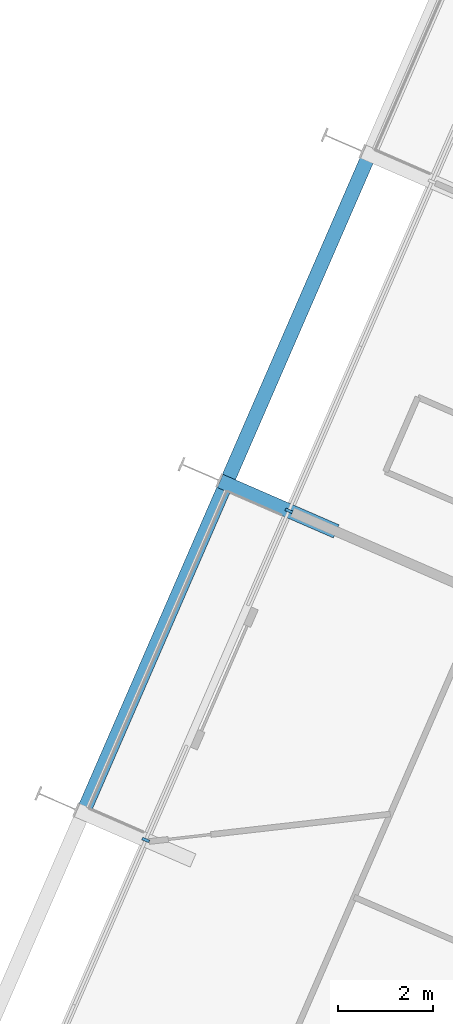
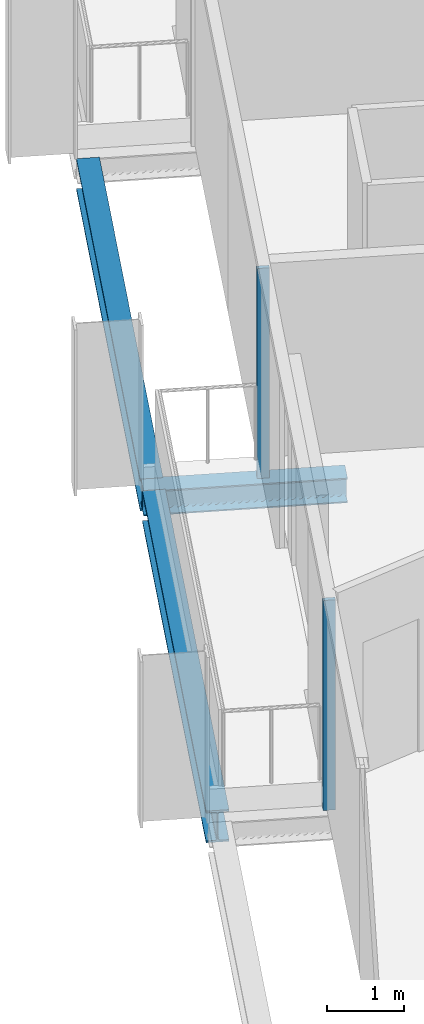
# One storey, part 5 of 23: 3 beams, 2 members, 1 element without a shape of its own.
"""IFC4 building model written with IfcOpenShell, lengths in metres."""

import ifcopenshell
import ifcopenshell.guid

model = None  # the IFC model being written
_history = None  # IfcOwnerHistory: only IFC2X3 demands one
_inside = {}  # id of a spatial element -> (the spatial element, [elements in it])
_under = {}  # id of a project, library or spatial element -> (it, [spatial elements below it])
_declared = {}  # id of a project -> (the project, [libraries it declares])
_typed = {}  # id of a type object -> (the type object, [elements of that type])
_made_of = {}  # id of a material, layer set ... -> (it, [elements and type objects made of it])


def new_model(schema):
    """Start an empty IFC model of exactly this schema.

    Asked for "IFC4X3", IfcOpenShell would pick the latest addendum, in which some entities
    have other attributes; the version numbers below select the first issue.
    IFC2X3 requires an IfcOwnerHistory on every rooted entity: one is made here for all.
    """
    global model, _history
    if schema == "IFC4X3":
        model = ifcopenshell.file(schema_version=(4, 3, 0, 0))
    else:
        model = ifcopenshell.file(schema=schema)
    _inside.clear()
    _under.clear()
    _declared.clear()
    _typed.clear()
    _made_of.clear()
    _history = None
    if model.schema == "IFC2X3":
        org = make("IfcOrganization", Name="unknown")
        user = make(
            "IfcPersonAndOrganization",
            ThePerson=make("IfcPerson", FamilyName="unknown"),
            TheOrganization=org,
        )
        app = make(
            "IfcApplication",
            ApplicationDeveloper=org,
            Version="unknown",
            ApplicationFullName="unknown",
            ApplicationIdentifier="unknown",
        )
        _history = make(
            "IfcOwnerHistory",
            OwningUser=user,
            OwningApplication=app,
            ChangeAction="ADDED",
            CreationDate=0,
        )
    return model


def make(cls, **values):
    """One entity of the class cls with the attributes given. An attribute that is None is left unset."""
    return model.create_entity(
        cls, **{name: value for name, value in values.items() if value is not None}
    )


def rooted(cls, **values):
    """An entity with a GlobalId (a new one), such as an element, a storey or a relation."""
    return make(cls, GlobalId=ifcopenshell.guid.new(), OwnerHistory=_history, **values)


def si_unit(unit_type, name, prefix=None):
    """IfcSIUnit, for example si_unit("LENGTHUNIT", "METRE", prefix="MILLI")."""
    return make("IfcSIUnit", UnitType=unit_type, Prefix=prefix, Name=name)


def assignment(units):
    """IfcUnitAssignment: the units of a project."""
    return None if units is None else make("IfcUnitAssignment", Units=units)


def point(xyz):
    """IfcCartesianPoint."""
    return None if xyz is None else make("IfcCartesianPoint", Coordinates=xyz)


def direction(xyz):
    """IfcDirection."""
    return None if xyz is None else make("IfcDirection", DirectionRatios=xyz)


def frame(location, z_axis=None, x_axis=None):
    """IfcAxis2Placement3D, a coordinate frame: its origin and axes. An axis left out is left unset."""
    return make(
        "IfcAxis2Placement3D",
        Location=point(location),
        Axis=direction(z_axis),
        RefDirection=direction(x_axis),
    )


def frame_2d(location, x_axis=None):
    """IfcAxis2Placement2D, a coordinate frame in the plane: its origin and x axis."""
    return make(
        "IfcAxis2Placement2D", Location=point(location), RefDirection=direction(x_axis)
    )


def origin():
    """The frame at (0, 0, 0) with its axes left unset."""
    return frame((0.0, 0.0, 0.0))


def origin_2d():
    """The frame at (0, 0) in the plane with its x axis left unset."""
    return frame_2d((0.0, 0.0))


def place(relative_to, where):
    """IfcLocalPlacement: puts the frame where relative to a parent placement (None: the world)."""
    return make(
        "IfcLocalPlacement", PlacementRelTo=relative_to, RelativePlacement=where
    )


def context(
    kind, dimensions, precision=None, world=None, true_north=None, identifier=None
):
    """IfcGeometricRepresentationContext, for example the 3D "Model" context."""
    return make(
        "IfcGeometricRepresentationContext",
        ContextIdentifier=identifier,
        ContextType=kind,
        CoordinateSpaceDimension=dimensions,
        Precision=precision,
        WorldCoordinateSystem=world,
        TrueNorth=true_north,
    )


def subcontext(parent, identifier, kind, view, scale=None):
    """IfcGeometricRepresentationSubContext, for example "Body" below "Model"."""
    return make(
        "IfcGeometricRepresentationSubContext",
        ContextIdentifier=identifier,
        ContextType=kind,
        ParentContext=parent,
        TargetScale=scale,
        TargetView=view,
    )


def project(units=None, contexts=None):
    """IfcProject with its units and contexts."""
    return rooted(
        "IfcProject",
        Name="project",
        RepresentationContexts=contexts,
        UnitsInContext=assignment(units),
    )


def spatial(cls, under=None, at=None, **own):
    """A site, building, storey or space (cls), placed at a placement, below another one or the project."""
    s = rooted(cls, ObjectPlacement=at, **own)
    if under is not None:
        _under.setdefault(under.id(), (under, []))[1].append(s)
    return s


def profile(cls, at=None, kind="AREA", **sizes):
    """A parametric profile (cls). Its sizes go by their IFC names, for example OverallWidth=200.0."""
    return make(cls, ProfileType=kind, Position=at, **sizes)


def rectangle(**sizes):
    """IfcRectangleProfileDef."""
    return profile("IfcRectangleProfileDef", **sizes)


def i_section(**sizes):
    """IfcIShapeProfileDef."""
    return profile("IfcIShapeProfileDef", **sizes)


def extrude(swept, where, along, depth):
    """IfcExtrudedAreaSolid: the profile swept, set in the frame where, extruded along a direction by depth."""
    return make(
        "IfcExtrudedAreaSolid",
        SweptArea=swept,
        Position=where,
        ExtrudedDirection=direction(along),
        Depth=depth,
    )


def shape(context_of_items, identifier, shape_type, items):
    """IfcShapeRepresentation: the items that make up one representation, for example the "Body"."""
    return make(
        "IfcShapeRepresentation",
        ContextOfItems=context_of_items,
        RepresentationIdentifier=identifier,
        RepresentationType=shape_type,
        Items=items,
    )


def material(Name=None, Category=None):
    """IfcMaterial."""
    return make("IfcMaterial", Name=Name, Category=Category)


def layer(
    of_material, thickness, ventilated=None, Name=None, Category=None, Priority=None
):
    """IfcMaterialLayer: one layer of a wall or slab, of a material (None: an air gap)."""
    return make(
        "IfcMaterialLayer",
        Material=of_material,
        LayerThickness=thickness,
        IsVentilated=ventilated,
        Name=Name,
        Category=Category,
        Priority=Priority,
    )


def layer_set(layers, Name=None):
    """IfcMaterialLayerSet."""
    return make("IfcMaterialLayerSet", MaterialLayers=layers, LayerSetName=Name)


def material_profile(
    of_material, cross_section, Name=None, Category=None, Priority=None
):
    """IfcMaterialProfile: a cross section and its material."""
    return make(
        "IfcMaterialProfile",
        Name=Name,
        Material=of_material,
        Profile=cross_section,
        Priority=Priority,
        Category=Category,
    )


def profile_set(profiles, Name=None, composite=None):
    """IfcMaterialProfileSet."""
    return make(
        "IfcMaterialProfileSet",
        Name=Name,
        MaterialProfiles=profiles,
        CompositeProfile=composite,
    )


def made_of(thing, what):
    """Note that an element or type object is made of a material, layer set ...; save() writes the relation."""
    if what is not None:
        _made_of.setdefault(what.id(), (what, []))[1].append(thing)
    return thing


def type_object(cls, material=None, **own):
    """A type object (cls), such as IfcWallType, which elements share."""
    return made_of(rooted(cls, **own), material)


def element(
    cls,
    number,
    at=None,
    inside=None,
    cuts=None,
    type_object=None,
    material=None,
    context=None,
    identifier="Body",
    shape_type=None,
    held_by="IfcProductDefinitionShape",
    body=None,
    shapes=None,
    **own,
):
    """One element of the class cls, such as IfcWall. Its Tag is "e" and its number.

    at: its placement. inside: the storey or other place that contains it. cuts: it is an
    opening in that element (IfcRelVoidsElement). A single representation is given by context,
    identifier, shape_type and body (its items); several are given by shapes. held_by: the class
    of the entity that holds the representations. save() writes the other relations.
    """
    e = rooted(cls, Tag="e%d" % number, ObjectPlacement=at, **own)
    if body is not None:
        shapes = [shape(context, identifier, shape_type, body)]
    if shapes is not None:
        e.Representation = make(held_by, Representations=shapes)
    if inside is not None:
        _inside.setdefault(inside.id(), (inside, []))[1].append(e)
    if cuts is not None:
        rooted(
            "IfcRelVoidsElement", RelatingBuildingElement=cuts, RelatedOpeningElement=e
        )
    if type_object is not None:
        _typed.setdefault(type_object.id(), (type_object, []))[1].append(e)
    return made_of(e, material)


def aggregate(whole, parts):
    """IfcRelAggregates: a whole, such as a stair, and the parts it consists of."""
    return rooted("IfcRelAggregates", RelatingObject=whole, RelatedObjects=parts)


def save(model, path):
    """Write the relations noted so far, then the file.

    IfcRelAggregates (storeys below a building ...), IfcRelContainedInSpatialStructure (elements
    in a storey), IfcRelDefinesByType, IfcRelAssociatesMaterial and IfcRelDeclares: one each for
    every whole, place, type object, material and project.
    """
    for whole, parts in _under.values():
        aggregate(whole, parts)
    for where, things in _inside.values():
        rooted(
            "IfcRelContainedInSpatialStructure",
            RelatedElements=things,
            RelatingStructure=where,
        )
    for kind, things in _typed.values():
        rooted("IfcRelDefinesByType", RelatedObjects=things, RelatingType=kind)
    for what, things in _made_of.values():
        rooted("IfcRelAssociatesMaterial", RelatedObjects=things, RelatingMaterial=what)
    for by, libraries in _declared.values():
        rooted("IfcRelDeclares", RelatingContext=by, RelatedDefinitions=libraries)
    model.write(path)


model = new_model("IFC4")

# Units and contexts
model_context = context("Model", 3, precision=1e-05, world=origin(), true_north=direction((0.0, 1.0)))
body_context = subcontext(model_context, "Body", "Model", "MODEL_VIEW")
ifc_project = project(units=[si_unit("LENGTHUNIT", "METRE"), si_unit("AREAUNIT", "SQUARE_METRE"), si_unit("VOLUMEUNIT", "CUBIC_METRE"), si_unit("PLANEANGLEUNIT", "RADIAN"), si_unit("MASSUNIT", "GRAM", prefix="KILO")], contexts=[model_context])

# Site, building, storey
site_placement = place(None, origin())
site = spatial("IfcSite", under=ifc_project, at=site_placement, CompositionType="ELEMENT")
building_placement = place(site_placement, origin())
building = spatial("IfcBuilding", under=site, at=building_placement, Name="Spindle Arch Residences", CompositionType="ELEMENT")
storey_placement = place(building_placement, frame((0.0, 0.0, 104.699951171875)))
storey = spatial("IfcBuildingStorey", under=building, at=storey_placement, Name="L25", CompositionType="ELEMENT", Elevation=104.699951171875)

# Curtain wall, members
ifc_material_1 = material(Name="Aluminium bronze unitised frame with tinted glass", Category="aluminium")
ifc_layer = layer(ifc_material_1, 0.159912109375)
ifc_layer_set = layer_set([ifc_layer], Name="CW-C typical residential unitised wall")
curtain_wall_type = type_object("IfcCurtainWallType", Name="CW-C typical residential unitised wall", PredefinedType="NOTDEFINED", material=ifc_layer_set)
curtain_wall_placement = place(storey_placement, origin())
curtain_wall = element("IfcCurtainWall", 1, at=curtain_wall_placement, inside=storey, type_object=curtain_wall_type, Name="CW-C L25 run 4", PredefinedType="NOTDEFINED")
ifc_material_2 = material(Name="Aluminium bronze anodised mullion", Category="aluminium")
ifc_material_profile_1 = material_profile(ifc_material_2, rectangle(XDim=0.159912109375, YDim=0.06005859375, at=origin_2d()), Name="MU 60x160")
ifc_profile_set_1 = profile_set([ifc_material_profile_1], Name="Aluminium bronze anodised mullion")
member_type = type_object("IfcMemberType", Name="Bronze mullion 60x160", PredefinedType="MULLION", material=ifc_profile_set_1)
member_1_placement = place(storey_placement, frame((-19.232666015625, 4.26318359375, -0.3798828125), z_axis=(0.0, 0.0, 1.0), x_axis=(0.917060074385, -0.398749068925, 0.0)))
member_1 = element("IfcMember", 2, at=member_1_placement, type_object=member_type, Name="CW-C mullion 16", PredefinedType="MULLION", context=body_context, shape_type="SweptSolid", body=[
    extrude(rectangle(XDim=0.159912109375, YDim=0.06005859375, at=origin_2d()), origin(), (0.0, 0.0, 1.0), 3.309814453125),
])
member_2_placement = place(storey_placement, frame((-22.23095703125, -2.632080078125, -0.3798828125), z_axis=(0.0, 0.0, 1.0), x_axis=(0.917060074385, -0.398749068925, 0.0)))
member_2 = element("IfcMember", 3, at=member_2_placement, type_object=member_type, Name="CW-C mullion 17", PredefinedType="MULLION", context=body_context, shape_type="SweptSolid", body=[
    extrude(rectangle(XDim=0.159912109375, YDim=0.06005859375, at=origin_2d()), origin(), (0.0, 0.0, 1.0), 3.309814453125),
])
aggregate(curtain_wall, [member_1, member_2])

# Beams
ifc_material_3 = material(Name="Steel S460ML, intumescent coating R 120", Category="steel")
ifc_material_profile_2 = material_profile(ifc_material_3, i_section(OverallWidth=0.300048828125, OverallDepth=0.5, WebThickness=0.014404296875, FlangeThickness=0.028076171875, FilletRadius=0.027099609375, at=origin_2d()), Name="HEB 500")
ifc_profile_set_2 = profile_set([ifc_material_profile_2], Name="Steel S460ML, intumescent coating R 120")
beam_type_1 = type_object("IfcBeamType", Name="Exoskeleton edge beam HEB 500", PredefinedType="BEAM", material=ifc_profile_set_2)
for number, where, z_axis, x_axis, name in (
    (4, (-17.6005859375, 11.610595703125, -0.6298828125), (-0.398760546857, -0.917055083553, 0.0), (0.917055083553, -0.398760546857, 0.0), "Exoskeleton edge beam 16"),
    (5, (-20.5986328125, 4.71533203125, -0.6298828125), (-0.398760546857, -0.917055083553, 0.0), (0.917055083553, -0.398760546857, 0.0), "Exoskeleton edge beam 17"),
):
    element("IfcBeam", number, at=place(storey_placement, frame(where, z_axis=z_axis, x_axis=x_axis)), inside=storey, type_object=beam_type_1, Name=name, PredefinedType="BEAM", context=body_context, shape_type="SweptSolid", body=[
        extrude(i_section(OverallWidth=0.300048828125, OverallDepth=0.5, WebThickness=0.014404296875, FlangeThickness=0.028076171875, FilletRadius=0.027099609375, at=origin_2d()), origin(), (0.0, 0.0, 1.0), 7.2587890625),
    ])
ifc_material_4 = material(Name="Steel S460ML, intumescent coating R 120", Category="steel")
ifc_material_profile_3 = material_profile(ifc_material_4, i_section(OverallWidth=0.300048828125, OverallDepth=0.389892578125, WebThickness=0.010986328125, FlangeThickness=0.01904296875, FilletRadius=0.027099609375, at=origin_2d()), Name="HEA 400")
ifc_profile_set_3 = profile_set([ifc_material_profile_3], Name="Steel S460ML, intumescent coating R 120")
beam_type_2 = type_object("IfcBeamType", Name="Floor outrigger HEA 400", PredefinedType="BEAM", material=ifc_profile_set_3)
beam_placement = place(storey_placement, frame((-20.672607421875, 4.889404296875, -0.574951171875), z_axis=(0.917045157424, -0.398783373831, 0.0), x_axis=(0.398783373831, 0.917045157424, 0.0)))
element("IfcBeam", 6, at=beam_placement, inside=storey, type_object=beam_type_2, Name="Floor outrigger 17", PredefinedType="BEAM", context=body_context, shape_type="SweptSolid", body=[
    extrude(i_section(OverallWidth=0.300048828125, OverallDepth=0.389892578125, WebThickness=0.010986328125, FlangeThickness=0.01904296875, FilletRadius=0.027099609375, at=origin_2d()), origin(), (0.0, 0.0, 1.0), 2.650390625),
])

save(model, "model.ifc")
